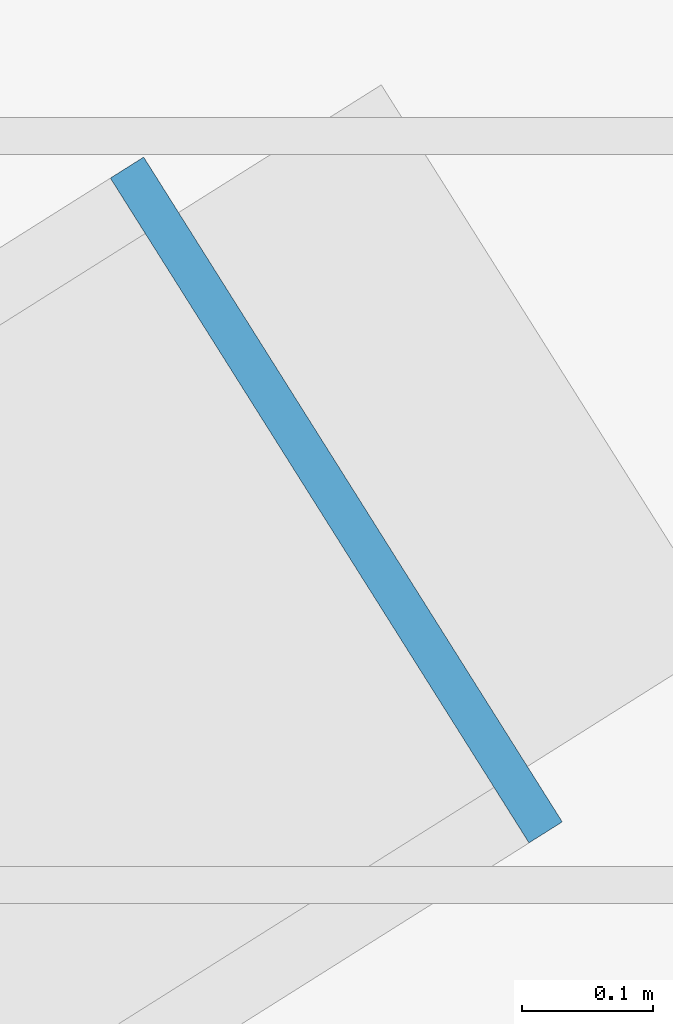
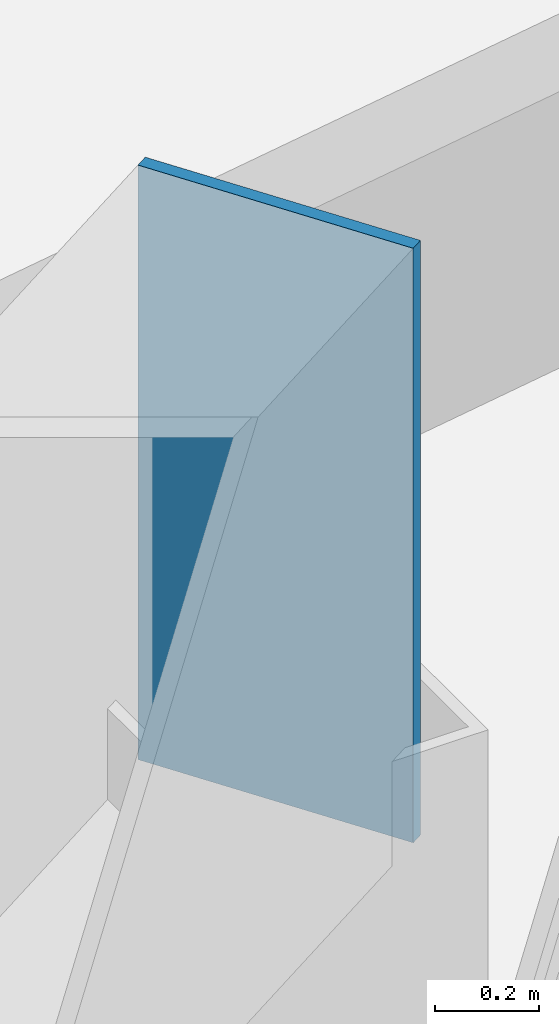
# One storey, part 14 of 24: 1 discrete accessory.
"""IFC4 building model written with IfcOpenShell, lengths in metres."""

from ifc_helpers import new_model, si_unit, direction, frame, origin, origin_2d, place, context, subcontext, project, spatial, rectangle, extrude, material, type_object, element, save


model = new_model("IFC4")

# Units and contexts
model_context = context("Model", 3, precision=1e-05, world=origin(), true_north=direction((0.0, 1.0)))
body_context = subcontext(model_context, "Body", "Model", "MODEL_VIEW")
ifc_project = project(units=[si_unit("LENGTHUNIT", "METRE"), si_unit("AREAUNIT", "SQUARE_METRE"), si_unit("VOLUMEUNIT", "CUBIC_METRE"), si_unit("PLANEANGLEUNIT", "RADIAN"), si_unit("MASSUNIT", "GRAM", prefix="KILO")], contexts=[model_context])

# Site, building, storey
site_placement = place(None, origin())
site = spatial("IfcSite", under=ifc_project, at=site_placement, CompositionType="ELEMENT")
building_placement = place(site_placement, origin())
building = spatial("IfcBuilding", under=site, at=building_placement, Name="Tuul Gate Civic Tower", CompositionType="ELEMENT")
storey_placement = place(building_placement, frame((0.0, 0.0, 277.800048828125)))
storey = spatial("IfcBuildingStorey", under=building, at=storey_placement, Name="Wind floor 2", CompositionType="ELEMENT", Elevation=277.800048828125)

# Discrete accessory
ifc_material = material(Name="Steel S355", Category="steel")
discrete_accessory_type = type_object("IfcDiscreteAccessoryType", Name="End cap plate", PredefinedType="BRACKET", material=ifc_material)
discrete_accessory_placement = place(storey_placement, frame((64.02978515625, -26.114990234375, 6.199951171875), z_axis=(0.0, 0.0, 1.0), x_axis=(0.846187288195, 0.532885609956, 0.0)))
element("IfcDiscreteAccessory", 1, at=discrete_accessory_placement, inside=storey, type_object=discrete_accessory_type, Name="End cap plate", PredefinedType="BRACKET", context=body_context, shape_type="SweptSolid", body=[
    extrude(rectangle(XDim=0.030029296875, YDim=0.60009765625, at=origin_2d()), origin(), (0.0, 0.0, 1.0), 1.39990234375),
])

save(model, "model.ifc")
